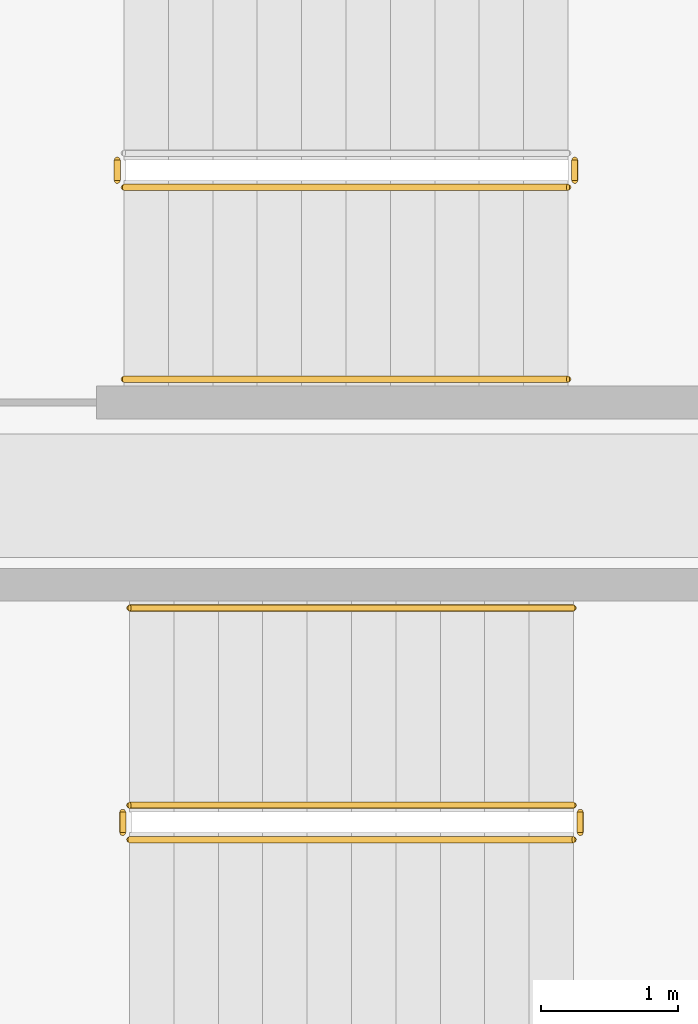
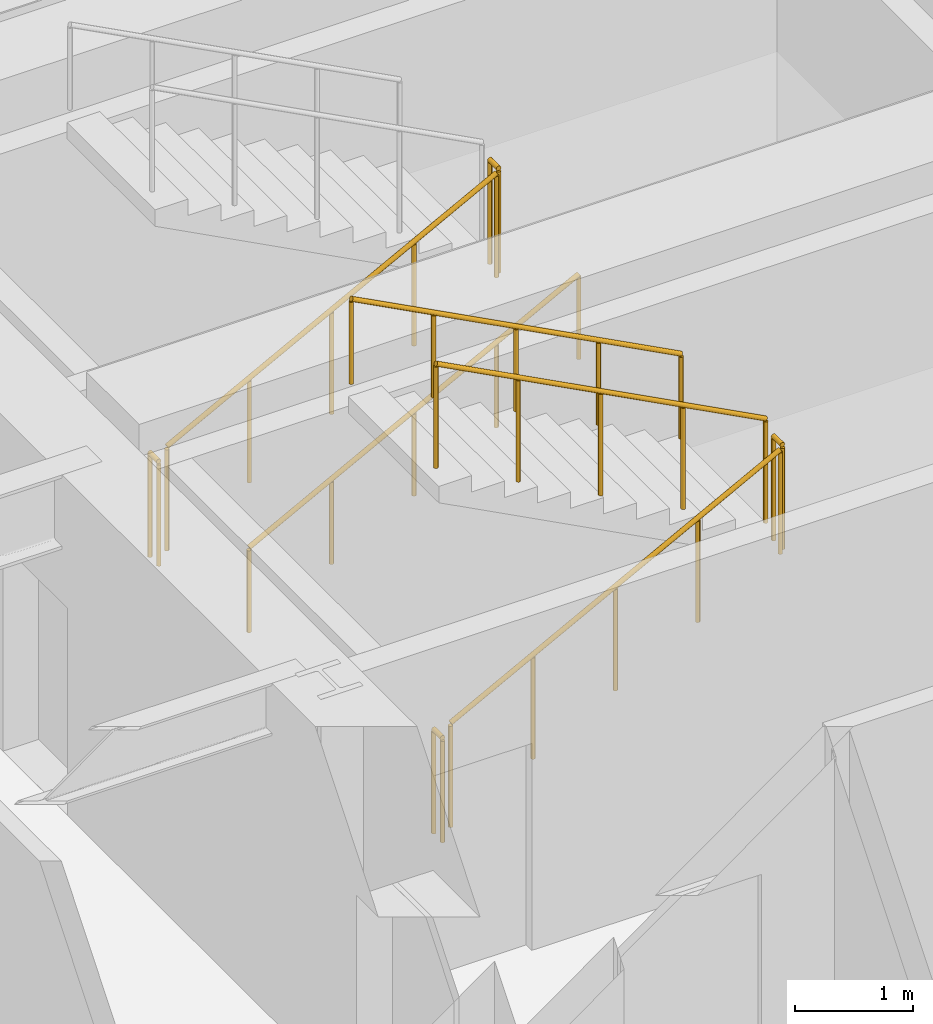
# One storey, part 10 of 11: 9 railings.
"""IFC4 building model written with IfcOpenShell, lengths in metres."""

from ifc_helpers import new_model, si_unit, direction, frame, origin, origin_2d, place, context, subcontext, project, spatial, circle, extrude, material, type_object, element, save


model = new_model("IFC4")

# Units and contexts
model_context = context("Model", 3, precision=1e-05, world=origin(), true_north=direction((0.0, 1.0)))
body_context = subcontext(model_context, "Body", "Model", "MODEL_VIEW")
ifc_project = project(units=[si_unit("LENGTHUNIT", "METRE"), si_unit("AREAUNIT", "SQUARE_METRE"), si_unit("VOLUMEUNIT", "CUBIC_METRE"), si_unit("PLANEANGLEUNIT", "RADIAN"), si_unit("MASSUNIT", "GRAM", prefix="KILO")], contexts=[model_context])

# Site, building, storey
site_placement = place(None, origin())
site = spatial("IfcSite", under=ifc_project, at=site_placement, CompositionType="ELEMENT")
building_placement = place(site_placement, origin())
building = spatial("IfcBuilding", under=site, at=building_placement, Name="Kolvaren Arena Tower", CompositionType="ELEMENT")
storey_placement = place(building_placement, frame((0.0, 0.0, 134.5)))
storey = spatial("IfcBuildingStorey", under=building, at=storey_placement, Name="L31", CompositionType="ELEMENT", Elevation=134.5)

# Railings
ifc_material_1 = material(Name="Painted galvanized steel", Category="steel")
railing_type_1 = type_object("IfcRailingType", Name="GUARD-ST-110", PredefinedType="GUARDRAIL", material=ifc_material_1)
railing_1_placement = place(storey_placement, frame((52.719970703125, 31.639892578125, 0.17041015625)))
element("IfcRailing", 1, at=railing_1_placement, inside=storey, type_object=railing_type_1, Name="L31 ST-E1 stair guard 1", PredefinedType="GUARDRAIL", context=body_context, shape_type="SweptSolid", body=[
    extrude(circle(Radius=0.02392578125, at=origin_2d()), frame((0.0, 0.0, 1.076171875), z_axis=(0.884993431791, 0.0, 0.465603506952), x_axis=(0.0, 1.0, 0.0)), (0.0, 0.0, 1.0), 3.6611328125),
    extrude(circle(Radius=0.02099609375, at=origin_2d()), origin(), (0.0, 0.0, 1.0), 1.052001953125),
    extrude(circle(Radius=0.02099609375, at=origin_2d()), frame((0.81005859375, 0.0, 0.42626953125)), (0.0, 0.0, 1.0), 1.052001953125),
    extrude(circle(Radius=0.02099609375, at=origin_2d()), frame((1.6201171875, 0.0, 0.852294921875)), (0.0, 0.0, 1.0), 1.052001953125),
    extrude(circle(Radius=0.02099609375, at=origin_2d()), frame((2.429931640625, 0.0, 1.2783203125)), (0.0, 0.0, 1.0), 1.052001953125),
    extrude(circle(Radius=0.02099609375, at=origin_2d()), frame((3.239990234375, 0.0, 1.70458984375)), (0.0, 0.0, 1.0), 1.052001953125),
])
railing_2_placement = place(storey_placement, frame((56.010009765625, 31.68994140625, 1.875)))
element("IfcRailing", 2, at=railing_2_placement, inside=storey, type_object=railing_type_1, Name="L31 ST-E1 stair guard 2", PredefinedType="GUARDRAIL", context=body_context, shape_type="SweptSolid", body=[
    extrude(circle(Radius=0.02392578125, at=origin_2d()), frame((0.0, 0.0, 1.076171875), z_axis=(0.0, 1.0, 0.0), x_axis=(-1.0, 0.0, 0.0)), (0.0, 0.0, 1.0), 0.150146484375),
    extrude(circle(Radius=0.02099609375, at=origin_2d()), origin(), (0.0, 0.0, 1.0), 1.052001953125),
    extrude(circle(Radius=0.02099609375, at=origin_2d()), frame((0.0, 0.150146484375, 0.0)), (0.0, 0.0, 1.0), 1.052001953125),
])
railing_3_placement = place(storey_placement, frame((55.9599609375, 31.889892578125, 2.04541015625)))
element("IfcRailing", 3, at=railing_3_placement, inside=storey, type_object=railing_type_1, Name="L31 ST-E1 stair guard 3", PredefinedType="GUARDRAIL", context=body_context, shape_type="SweptSolid", body=[
    extrude(circle(Radius=0.02392578125, at=origin_2d()), frame((0.0, 0.0, 1.076171875), z_axis=(-0.884993431791, 0.0, 0.465603506952), x_axis=(0.0, -1.0, 0.0)), (0.0, 0.0, 1.0), 3.6611328125),
    extrude(circle(Radius=0.02099609375, at=origin_2d()), origin(), (0.0, 0.0, 1.0), 1.052001953125),
    extrude(circle(Radius=0.02099609375, at=origin_2d()), frame((-0.81005859375, 0.0, 0.42626953125)), (0.0, 0.0, 1.0), 1.052001953125),
    extrude(circle(Radius=0.02099609375, at=origin_2d()), frame((-1.6201171875, 0.0, 0.852294921875)), (0.0, 0.0, 1.0), 1.052001953125),
    extrude(circle(Radius=0.02099609375, at=origin_2d()), frame((-2.429931640625, 0.0, 1.2783203125)), (0.0, 0.0, 1.0), 1.052001953125),
    extrude(circle(Radius=0.02099609375, at=origin_2d()), frame((-3.239990234375, 0.0, 1.70458984375)), (0.0, 0.0, 1.0), 1.052001953125),
])
railing_4_placement = place(storey_placement, frame((52.669921875, 31.68994140625, 0.0)))
element("IfcRailing", 4, at=railing_4_placement, inside=storey, type_object=railing_type_1, Name="L31 ST-E1 stair guard 4", PredefinedType="GUARDRAIL", context=body_context, shape_type="SweptSolid", body=[
    extrude(circle(Radius=0.02392578125, at=origin_2d()), frame((0.0, 0.0, 1.076171875), z_axis=(0.0, 1.0, 0.0), x_axis=(-1.0, 0.0, 0.0)), (0.0, 0.0, 1.0), 0.150146484375),
    extrude(circle(Radius=0.02099609375, at=origin_2d()), origin(), (0.0, 0.0, 1.0), 1.052001953125),
    extrude(circle(Radius=0.02099609375, at=origin_2d()), frame((0.0, 0.150146484375, 0.0)), (0.0, 0.0, 1.0), 1.052001953125),
])
railing_5_placement = place(storey_placement, frame((52.679931640625, 36.39990234375, 0.17041015625)))
element("IfcRailing", 5, at=railing_5_placement, inside=storey, type_object=railing_type_1, Name="L31 ST-E2 stair guard 1", PredefinedType="GUARDRAIL", context=body_context, shape_type="SweptSolid", body=[
    extrude(circle(Radius=0.02392578125, at=origin_2d()), frame((0.0, 0.0, 1.076171875), z_axis=(0.884993431791, 0.0, 0.465603506952), x_axis=(0.0, 1.0, 0.0)), (0.0, 0.0, 1.0), 3.6611328125),
    extrude(circle(Radius=0.02099609375, at=origin_2d()), origin(), (0.0, 0.0, 1.0), 1.052001953125),
    extrude(circle(Radius=0.02099609375, at=origin_2d()), frame((0.81005859375, 0.0, 0.42626953125)), (0.0, 0.0, 1.0), 1.052001953125),
    extrude(circle(Radius=0.02099609375, at=origin_2d()), frame((1.6201171875, 0.0, 0.852294921875)), (0.0, 0.0, 1.0), 1.052001953125),
    extrude(circle(Radius=0.02099609375, at=origin_2d()), frame((2.429931640625, 0.0, 1.2783203125)), (0.0, 0.0, 1.0), 1.052001953125),
    extrude(circle(Radius=0.02099609375, at=origin_2d()), frame((3.239990234375, 0.0, 1.70458984375)), (0.0, 0.0, 1.0), 1.052001953125),
])
for number, where, name in (
    (6, (55.969970703125, 36.449951171875, 1.875), "L31 ST-E2 stair guard 2"),
    (7, (52.6298828125, 36.449951171875, 0.0), "L31 ST-E2 stair guard 4"),
):
    element("IfcRailing", number, at=place(storey_placement, frame(where)), inside=storey, type_object=railing_type_1, Name=name, PredefinedType="GUARDRAIL", context=body_context, shape_type="SweptSolid", body=[
        extrude(circle(Radius=0.02392578125, at=origin_2d()), frame((0.0, 0.0, 1.076171875), z_axis=(0.0, 1.0, 0.0), x_axis=(-1.0, 0.0, 0.0)), (0.0, 0.0, 1.0), 0.150146484375),
        extrude(circle(Radius=0.02099609375, at=origin_2d()), origin(), (0.0, 0.0, 1.0), 1.052001953125),
        extrude(circle(Radius=0.02099609375, at=origin_2d()), frame((0.0, 0.150146484375, 0.0)), (0.0, 0.0, 1.0), 1.052001953125),
    ])
ifc_material_2 = material(Name="Brushed stainless steel handrail", Category="steel")
railing_type_2 = type_object("IfcRailingType", Name="HRAIL-900", PredefinedType="HANDRAIL", material=ifc_material_2)
railing_6_placement = place(storey_placement, frame((55.9599609375, 33.330078125, 2.04541015625)))
element("IfcRailing", 8, at=railing_6_placement, inside=storey, type_object=railing_type_2, Name="L31 ST-E1 stair handrail 2", PredefinedType="HANDRAIL", context=body_context, shape_type="SweptSolid", body=[
    extrude(circle(Radius=0.02392578125, at=origin_2d()), frame((0.0, 0.0, 0.8759765625), z_axis=(-0.884993431791, 0.0, 0.465603506952), x_axis=(0.0, -1.0, 0.0)), (0.0, 0.0, 1.0), 3.6611328125),
    extrude(circle(Radius=0.02099609375, at=origin_2d()), origin(), (0.0, 0.0, 1.0), 0.851806640625),
    extrude(circle(Radius=0.02099609375, at=origin_2d()), frame((-0.81005859375, 0.0, 0.42626953125)), (0.0, 0.0, 1.0), 0.851806640625),
    extrude(circle(Radius=0.02099609375, at=origin_2d()), frame((-1.6201171875, 0.0, 0.852294921875)), (0.0, 0.0, 1.0), 0.851806640625),
    extrude(circle(Radius=0.02099609375, at=origin_2d()), frame((-2.429931640625, 0.0, 1.2783203125)), (0.0, 0.0, 1.0), 0.851806640625),
    extrude(circle(Radius=0.02099609375, at=origin_2d()), frame((-3.239990234375, 0.0, 1.70458984375)), (0.0, 0.0, 1.0), 0.851806640625),
])
railing_7_placement = place(storey_placement, frame((52.679931640625, 35.0, 0.17041015625)))
element("IfcRailing", 9, at=railing_7_placement, inside=storey, type_object=railing_type_2, Name="L31 ST-E2 stair handrail 1", PredefinedType="HANDRAIL", context=body_context, shape_type="SweptSolid", body=[
    extrude(circle(Radius=0.02392578125, at=origin_2d()), frame((0.0, 0.0, 0.8759765625), z_axis=(0.884993431791, 0.0, 0.465603506952), x_axis=(0.0, 1.0, 0.0)), (0.0, 0.0, 1.0), 3.6611328125),
    extrude(circle(Radius=0.02099609375, at=origin_2d()), origin(), (0.0, 0.0, 1.0), 0.851806640625),
    extrude(circle(Radius=0.02099609375, at=origin_2d()), frame((0.81005859375, 0.0, 0.42626953125)), (0.0, 0.0, 1.0), 0.851806640625),
    extrude(circle(Radius=0.02099609375, at=origin_2d()), frame((1.6201171875, 0.0, 0.852294921875)), (0.0, 0.0, 1.0), 0.851806640625),
    extrude(circle(Radius=0.02099609375, at=origin_2d()), frame((2.429931640625, 0.0, 1.2783203125)), (0.0, 0.0, 1.0), 0.851806640625),
    extrude(circle(Radius=0.02099609375, at=origin_2d()), frame((3.239990234375, 0.0, 1.70458984375)), (0.0, 0.0, 1.0), 0.851806640625),
])

save(model, "model.ifc")
